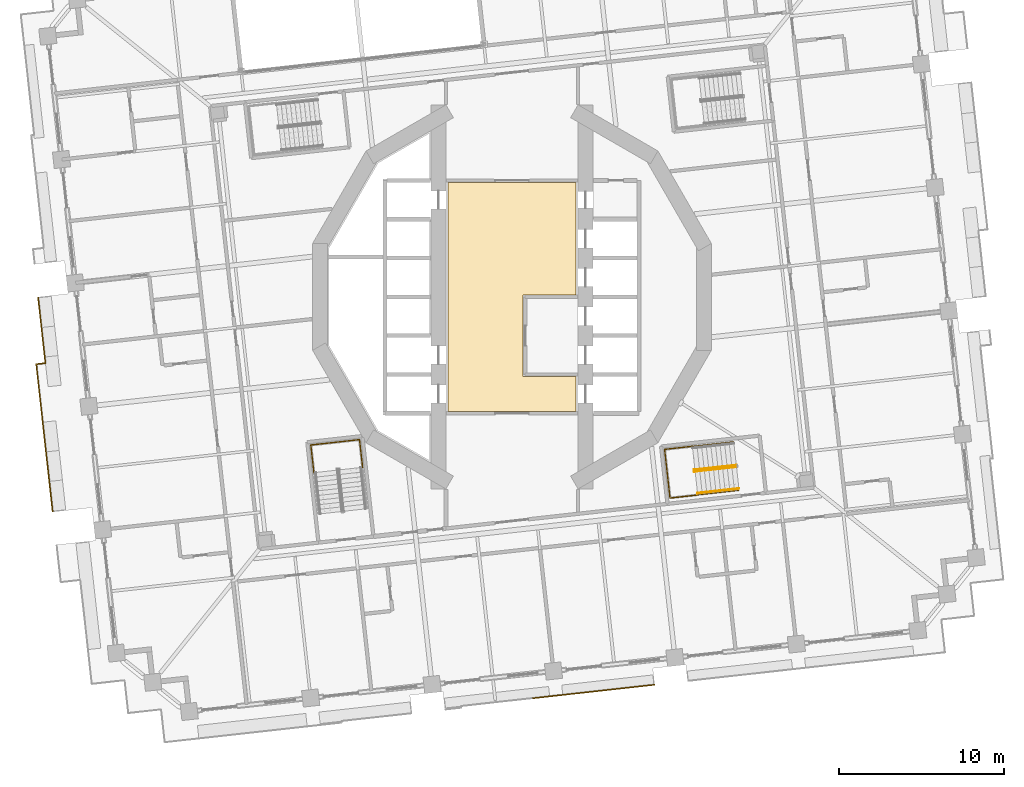
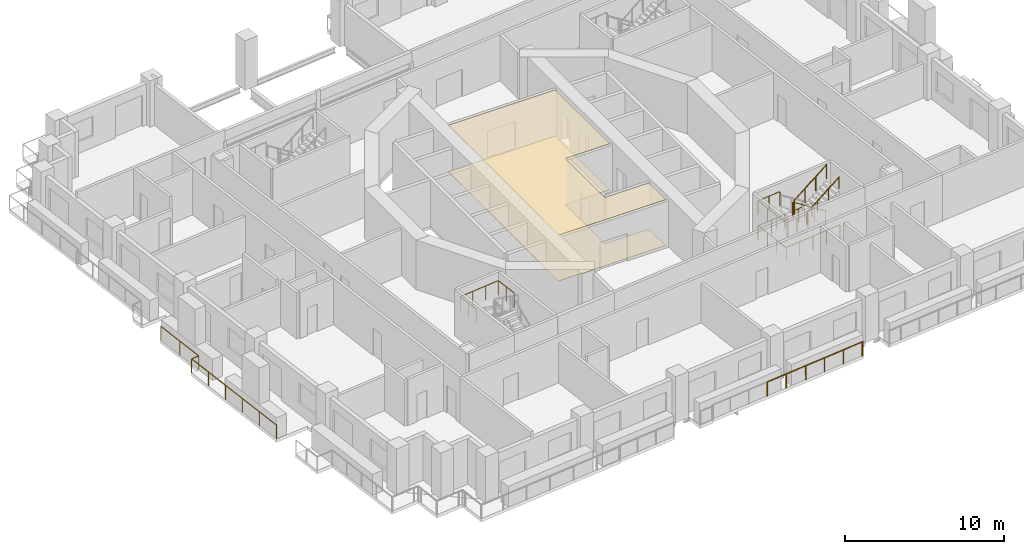
# One storey, part 16 of 21: 8 railings, 2 coverings.
"""IFC4 building model written with IfcOpenShell, lengths in metres."""

from ifc_helpers import new_model, si_unit, direction, frame, origin, origin_2d, place, context, subcontext, project, spatial, polyline, circle, outline, extrude, material, layer, layer_set, type_object, element, save


model = new_model("IFC4")

# Units and contexts
model_context = context("Model", 3, precision=1e-05, world=origin(), true_north=direction((0.0, 1.0)))
body_context = subcontext(model_context, "Body", "Model", "MODEL_VIEW")
ifc_project = project(units=[si_unit("LENGTHUNIT", "METRE"), si_unit("AREAUNIT", "SQUARE_METRE"), si_unit("VOLUMEUNIT", "CUBIC_METRE"), si_unit("PLANEANGLEUNIT", "RADIAN"), si_unit("MASSUNIT", "GRAM", prefix="KILO")], contexts=[model_context])

# Site, building, storey
site_placement = place(None, origin())
site = spatial("IfcSite", under=ifc_project, at=site_placement, CompositionType="ELEMENT")
building_placement = place(site_placement, origin())
building = spatial("IfcBuilding", under=site, at=building_placement, Name="Cantera Rosa Tower", CompositionType="ELEMENT")
storey_placement = place(building_placement, frame((0.0, 0.0, 57.699951171875)))
storey = spatial("IfcBuildingStorey", under=building, at=storey_placement, Name="L11", CompositionType="ELEMENT", Elevation=57.699951171875)

# Railings
ifc_material_1 = material(Name="Stainless steel and laminated glass", Category="steel")
railing_type_1 = type_object("IfcRailingType", Name="GUARD 1100", PredefinedType="BALUSTRADE", material=ifc_material_1)
railing_1_placement = place(storey_placement, frame((-27.823486328125, -12.99853515625, 0.0)))
element("IfcRailing", 1, at=railing_1_placement, inside=storey, type_object=railing_type_1, Name="GUARD L11-3", PredefinedType="BALUSTRADE", context=body_context, shape_type="SweptSolid", body=[
    extrude(circle(Radius=0.030029296875, at=origin_2d()), frame((0.0, 0.0, 1.070068359375), z_axis=(-0.11030317772, 0.993897987212, 0.0), x_axis=(-0.993897987212, -0.11030317772, 0.0)), (0.0, 0.0, 1.0), 8.977294921875),
    extrude(circle(Radius=0.030029296875, at=origin_2d()), frame((-0.990234375, 8.922607421875, 1.070068359375), z_axis=(0.993873032391, 0.110527804132, 0.0), x_axis=(-0.110527804132, 0.993873032391, 0.0)), (0.0, 0.0, 1.0), 0.556640625),
    extrude(circle(Radius=0.030029296875, at=origin_2d()), frame((-0.43701171875, 8.984130859375, 1.070068359375), z_axis=(-0.110344492621, 0.9938934012, 0.0), x_axis=(-0.9938934012, -0.110344492621, 0.0)), (0.0, 0.0, 1.0), 4.00244140625),
    extrude(circle(Radius=0.02490234375, at=origin_2d()), origin(), (0.0, 0.0, 1.0), 1.0400390625),
    extrude(circle(Radius=0.02490234375, at=origin_2d()), frame((-0.197998046875, 1.784423828125, 0.0)), (0.0, 0.0, 1.0), 1.0400390625),
    extrude(circle(Radius=0.02490234375, at=origin_2d()), frame((-0.39599609375, 3.569091796875, 0.0)), (0.0, 0.0, 1.0), 1.0400390625),
    extrude(circle(Radius=0.02490234375, at=origin_2d()), frame((-0.59423828125, 5.353515625, 0.0)), (0.0, 0.0, 1.0), 1.0400390625),
    extrude(circle(Radius=0.02490234375, at=origin_2d()), frame((-0.792236328125, 7.13818359375, 0.0)), (0.0, 0.0, 1.0), 1.0400390625),
    extrude(circle(Radius=0.02490234375, at=origin_2d()), frame((-0.990234375, 8.922607421875, 0.0)), (0.0, 0.0, 1.0), 1.0400390625),
    extrude(circle(Radius=0.02490234375, at=origin_2d()), frame((-0.43701171875, 8.984130859375, 0.0)), (0.0, 0.0, 1.0), 1.0400390625),
    extrude(circle(Radius=0.02490234375, at=origin_2d()), frame((-0.65771484375, 10.97314453125, 0.0)), (0.0, 0.0, 1.0), 1.0400390625),
    extrude(circle(Radius=0.02490234375, at=origin_2d()), frame((-0.878662109375, 12.962158203125, 0.0)), (0.0, 0.0, 1.0), 1.0400390625),
])
railing_2_placement = place(storey_placement, frame((8.6142578125, -23.4931640625, 0.0)))
element("IfcRailing", 2, at=railing_2_placement, inside=storey, type_object=railing_type_1, Name="GUARD L11-9", PredefinedType="BALUSTRADE", context=body_context, shape_type="SweptSolid", body=[
    extrude(circle(Radius=0.030029296875, at=origin_2d()), frame((0.0, 0.0, 1.070068359375), z_axis=(-0.994136314057, -0.108134125389, 0.0), x_axis=(0.108134125389, -0.994136314057, 0.0)), (0.0, 0.0, 1.0), 0.070068359375),
    extrude(circle(Radius=0.030029296875, at=origin_2d()), frame((-0.069580078125, -0.007568359375, 1.070068359375), z_axis=(-0.993891851654, -0.110358448777, 0.0), x_axis=(0.110358448777, -0.993891851654, 0.0)), (0.0, 0.0, 1.0), 4.400146484375),
    extrude(circle(Radius=0.030029296875, at=origin_2d()), frame((-4.44287109375, -0.4931640625, 1.070068359375), z_axis=(-0.993901585709, -0.110270748271, 0.0), x_axis=(0.110270748271, -0.993901585709, 0.0)), (0.0, 0.0, 1.0), 3.0),
    extrude(circle(Radius=0.02490234375, at=origin_2d()), origin(), (0.0, 0.0, 1.0), 1.0400390625),
    extrude(circle(Radius=0.02490234375, at=origin_2d()), frame((-0.069580078125, -0.007568359375, 0.0)), (0.0, 0.0, 1.0), 1.0400390625),
    extrude(circle(Radius=0.02490234375, at=origin_2d()), frame((-1.52734375, -0.16943359375, 0.0)), (0.0, 0.0, 1.0), 1.0400390625),
    extrude(circle(Radius=0.02490234375, at=origin_2d()), frame((-2.985107421875, -0.331298828125, 0.0)), (0.0, 0.0, 1.0), 1.0400390625),
    extrude(circle(Radius=0.02490234375, at=origin_2d()), frame((-4.44287109375, -0.4931640625, 0.0)), (0.0, 0.0, 1.0), 1.0400390625),
    extrude(circle(Radius=0.02490234375, at=origin_2d()), frame((-5.93359375, -0.65869140625, 0.0)), (0.0, 0.0, 1.0), 1.0400390625),
    extrude(circle(Radius=0.02490234375, at=origin_2d()), frame((-7.424560546875, -0.823974609375, 0.0)), (0.0, 0.0, 1.0), 1.0400390625),
])
ifc_material_2 = material(Name="Steel S355J2 (EN 10025-2)", Category="steel")
railing_type_2 = type_object("IfcRailingType", Name="STAIR GUARD 1100", PredefinedType="GUARDRAIL", material=ifc_material_2)
railing_3_placement = place(storey_placement, frame((-9.04638671875, -10.3349609375, 1.900146484375)))
element("IfcRailing", 3, at=railing_3_placement, inside=storey, type_object=railing_type_2, Name="L11 ST-13 stair guard 5", PredefinedType="GUARDRAIL", context=body_context, shape_type="SweptSolid", body=[
    extrude(circle(Radius=0.02392578125, at=origin_2d()), frame((0.0, 0.0, 1.076171875), z_axis=(-0.110305577623, 0.993897720867, 0.0), x_axis=(-0.993897720867, -0.110305577623, 0.0)), (0.0, 0.0, 1.0), 1.7021484375),
    extrude(circle(Radius=0.02392578125, at=origin_2d()), frame((-0.187744140625, 1.691650390625, 1.076171875), z_axis=(-0.993896759678, -0.110314237986, 0.0), x_axis=(0.110314237986, -0.993896759678, 0.0)), (0.0, 0.0, 1.0), 2.969970703125),
    extrude(circle(Radius=0.02392578125, at=origin_2d()), frame((-3.1396484375, 1.364013671875, 1.076171875), z_axis=(0.110447269257, -0.993881985305, 0.0), x_axis=(0.993881985305, 0.110447269257, 0.0)), (0.0, 0.0, 1.0), 1.7021484375),
    extrude(circle(Radius=0.02099609375, at=origin_2d()), origin(), (0.0, 0.0, 1.0), 1.052001953125),
    extrude(circle(Radius=0.02099609375, at=origin_2d()), frame((-0.09375, 0.845703125, 0.0)), (0.0, 0.0, 1.0), 1.052001953125),
    extrude(circle(Radius=0.02099609375, at=origin_2d()), frame((-0.187744140625, 1.691650390625, 0.0)), (0.0, 0.0, 1.0), 1.052001953125),
    extrude(circle(Radius=0.02099609375, at=origin_2d()), frame((-1.171630859375, 1.58251953125, 0.0)), (0.0, 0.0, 1.0), 1.052001953125),
    extrude(circle(Radius=0.02099609375, at=origin_2d()), frame((-2.15576171875, 1.47314453125, 0.0)), (0.0, 0.0, 1.0), 1.052001953125),
    extrude(circle(Radius=0.02099609375, at=origin_2d()), frame((-3.1396484375, 1.364013671875, 0.0)), (0.0, 0.0, 1.0), 1.052001953125),
    extrude(circle(Radius=0.02099609375, at=origin_2d()), frame((-3.045654296875, 0.51806640625, 0.0)), (0.0, 0.0, 1.0), 1.052001953125),
    extrude(circle(Radius=0.02099609375, at=origin_2d()), frame((-2.95166015625, -0.32763671875, 0.0)), (0.0, 0.0, 1.0), 1.052001953125),
])
railing_4_placement = place(storey_placement, frame((13.5859375, -10.19677734375, 0.18994140625)))
element("IfcRailing", 4, at=railing_4_placement, inside=storey, type_object=railing_type_2, Name="L11 ST-14 stair guard 1", PredefinedType="GUARDRAIL", context=body_context, shape_type="SweptSolid", body=[
    extrude(circle(Radius=0.02392578125, at=origin_2d()), frame((0.0, 0.0, 1.076171875), z_axis=(-0.822368368775, -0.091311909927, 0.561580271327), x_axis=(0.110357086308, -0.993892002937, 0.0)), (0.0, 0.0, 1.0), 3.04541015625),
    extrude(circle(Radius=0.02392578125, at=origin_2d()), frame((-2.50439453125, -0.278076171875, 2.7861328125), z_axis=(-0.933456941688, 0.358689472963, 0.0), x_axis=(-0.358689472963, -0.933456941688, 0.0)), (0.0, 0.0, 1.0), 0.056396484375),
    extrude(circle(Radius=0.02392578125, at=origin_2d()), frame((-2.55712890625, -0.2578125, 2.7861328125), z_axis=(0.110789159685, -0.993843932464, 0.0), x_axis=(0.993843932464, 0.110789159685, 0.0)), (0.0, 0.0, 1.0), 0.14990234375),
    extrude(circle(Radius=0.02099609375, at=origin_2d()), origin(), (0.0, 0.0, 1.0), 1.052001953125),
    extrude(circle(Radius=0.02099609375, at=origin_2d()), frame((-0.834716796875, -0.0927734375, 0.570068359375)), (0.0, 0.0, 1.0), 1.052001953125),
    extrude(circle(Radius=0.02099609375, at=origin_2d()), frame((-1.669677734375, -0.185302734375, 1.14013671875)), (0.0, 0.0, 1.0), 1.052001953125),
    extrude(circle(Radius=0.02099609375, at=origin_2d()), frame((-2.50439453125, -0.278076171875, 1.710205078125)), (0.0, 0.0, 1.0), 1.052001953125),
    extrude(circle(Radius=0.02099609375, at=origin_2d()), frame((-2.55712890625, -0.2578125, 1.710205078125)), (0.0, 0.0, 1.0), 1.052001953125),
    extrude(circle(Radius=0.02099609375, at=origin_2d()), frame((-2.54052734375, -0.40673828125, 1.710205078125)), (0.0, 0.0, 1.0), 1.052001953125),
])
railing_5_placement = place(storey_placement, frame((11.09228515625, -10.572265625, 2.090087890625)))
element("IfcRailing", 5, at=railing_5_placement, inside=storey, type_object=railing_type_2, Name="L11 ST-14 stair guard 2", PredefinedType="GUARDRAIL", context=body_context, shape_type="SweptSolid", body=[
    extrude(circle(Radius=0.02392578125, at=origin_2d()), frame((0.0, 0.0, 1.076171875), z_axis=(0.822431337597, 0.091310000343, 0.561488360321), x_axis=(-0.110346460196, 0.993893182753, 0.0)), (0.0, 0.0, 1.0), 3.04541015625),
    extrude(circle(Radius=0.02099609375, at=origin_2d()), origin(), (0.0, 0.0, 1.0), 1.052001953125),
    extrude(circle(Radius=0.02099609375, at=origin_2d()), frame((0.8349609375, 0.0927734375, 0.570068359375)), (0.0, 0.0, 1.0), 1.052001953125),
    extrude(circle(Radius=0.02099609375, at=origin_2d()), frame((1.669677734375, 0.185302734375, 1.139892578125)), (0.0, 0.0, 1.0), 1.052001953125),
    extrude(circle(Radius=0.02099609375, at=origin_2d()), frame((2.504638671875, 0.278076171875, 1.7099609375)), (0.0, 0.0, 1.0), 1.052001953125),
])
railing_6_placement = place(storey_placement, frame((13.415771484375, -8.77099609375, 0.0)))
element("IfcRailing", 6, at=railing_6_placement, inside=storey, type_object=railing_type_2, Name="L11 ST-14 stair guard 4", PredefinedType="GUARDRAIL", context=body_context, shape_type="SweptSolid", body=[
    extrude(circle(Radius=0.02392578125, at=origin_2d()), frame((0.0, 0.0, 1.076171875), z_axis=(-0.9938957856, -0.110323013767, 0.0), x_axis=(0.110323013767, -0.9938957856, 0.0)), (0.0, 0.0, 1.0), 4.197998046875),
    extrude(circle(Radius=0.02392578125, at=origin_2d()), frame((-4.17236328125, -0.463134765625, 1.076171875), z_axis=(0.110314237986, -0.993896759678, 0.0), x_axis=(0.993896759678, 0.110314237986, 0.0)), (0.0, 0.0, 1.0), 2.969970703125),
    extrude(circle(Radius=0.02392578125, at=origin_2d()), frame((-3.8447265625, -3.4150390625, 1.076171875), z_axis=(0.9938957856, 0.110323013767, 0.0), x_axis=(-0.110323013767, 0.9938957856, 0.0)), (0.0, 0.0, 1.0), 4.197998046875),
    extrude(circle(Radius=0.02099609375, at=origin_2d()), origin(), (0.0, 0.0, 1.0), 1.052001953125),
    extrude(circle(Radius=0.02099609375, at=origin_2d()), frame((-1.04296875, -0.11572265625, 0.0)), (0.0, 0.0, 1.0), 1.052001953125),
    extrude(circle(Radius=0.02099609375, at=origin_2d()), frame((-2.086181640625, -0.2314453125, 0.0)), (0.0, 0.0, 1.0), 1.052001953125),
    extrude(circle(Radius=0.02099609375, at=origin_2d()), frame((-3.12939453125, -0.347412109375, 0.0)), (0.0, 0.0, 1.0), 1.052001953125),
    extrude(circle(Radius=0.02099609375, at=origin_2d()), frame((-4.17236328125, -0.463134765625, 0.0)), (0.0, 0.0, 1.0), 1.052001953125),
    extrude(circle(Radius=0.02099609375, at=origin_2d()), frame((-4.063232421875, -1.447021484375, 0.0)), (0.0, 0.0, 1.0), 1.052001953125),
    extrude(circle(Radius=0.02099609375, at=origin_2d()), frame((-3.953857421875, -2.43115234375, 0.0)), (0.0, 0.0, 1.0), 1.052001953125),
    extrude(circle(Radius=0.02099609375, at=origin_2d()), frame((-3.8447265625, -3.4150390625, 0.0)), (0.0, 0.0, 1.0), 1.052001953125),
    extrude(circle(Radius=0.02099609375, at=origin_2d()), frame((-2.8017578125, -3.29931640625, 0.0)), (0.0, 0.0, 1.0), 1.052001953125),
    extrude(circle(Radius=0.02099609375, at=origin_2d()), frame((-1.758544921875, -3.18359375, 0.0)), (0.0, 0.0, 1.0), 1.052001953125),
    extrude(circle(Radius=0.02099609375, at=origin_2d()), frame((-0.71533203125, -3.067626953125, 0.0)), (0.0, 0.0, 1.0), 1.052001953125),
    extrude(circle(Radius=0.02099609375, at=origin_2d()), frame((0.32763671875, -2.951904296875, 0.0)), (0.0, 0.0, 1.0), 1.052001953125),
])
railing_7_placement = place(storey_placement, frame((10.93505859375, -9.04638671875, 1.900146484375)))
element("IfcRailing", 7, at=railing_7_placement, inside=storey, type_object=railing_type_2, Name="L11 ST-14 stair guard 5", PredefinedType="GUARDRAIL", context=body_context, shape_type="SweptSolid", body=[
    extrude(circle(Radius=0.02392578125, at=origin_2d()), frame((0.0, 0.0, 1.076171875), z_axis=(-0.993897720867, -0.110305577623, 0.0), x_axis=(0.110305577623, -0.993897720867, 0.0)), (0.0, 0.0, 1.0), 1.7021484375),
    extrude(circle(Radius=0.02392578125, at=origin_2d()), frame((-1.691650390625, -0.187744140625, 1.076171875), z_axis=(0.110314237986, -0.993896759678, 0.0), x_axis=(0.993896759678, 0.110314237986, 0.0)), (0.0, 0.0, 1.0), 2.969970703125),
    extrude(circle(Radius=0.02392578125, at=origin_2d()), frame((-1.364013671875, -3.1396484375, 1.076171875), z_axis=(0.993881985305, 0.110447269257, 0.0), x_axis=(-0.110447269257, 0.993881985305, 0.0)), (0.0, 0.0, 1.0), 1.7021484375),
    extrude(circle(Radius=0.02099609375, at=origin_2d()), origin(), (0.0, 0.0, 1.0), 1.052001953125),
    extrude(circle(Radius=0.02099609375, at=origin_2d()), frame((-0.845703125, -0.09375, 0.0)), (0.0, 0.0, 1.0), 1.052001953125),
    extrude(circle(Radius=0.02099609375, at=origin_2d()), frame((-1.691650390625, -0.187744140625, 0.0)), (0.0, 0.0, 1.0), 1.052001953125),
    extrude(circle(Radius=0.02099609375, at=origin_2d()), frame((-1.58251953125, -1.171630859375, 0.0)), (0.0, 0.0, 1.0), 1.052001953125),
    extrude(circle(Radius=0.02099609375, at=origin_2d()), frame((-1.47314453125, -2.15576171875, 0.0)), (0.0, 0.0, 1.0), 1.052001953125),
    extrude(circle(Radius=0.02099609375, at=origin_2d()), frame((-1.364013671875, -3.1396484375, 0.0)), (0.0, 0.0, 1.0), 1.052001953125),
    extrude(circle(Radius=0.02099609375, at=origin_2d()), frame((-0.51806640625, -3.045654296875, 0.0)), (0.0, 0.0, 1.0), 1.052001953125),
    extrude(circle(Radius=0.02099609375, at=origin_2d()), frame((0.32763671875, -2.95166015625, 0.0)), (0.0, 0.0, 1.0), 1.052001953125),
])
ifc_material_3 = material(Name="Steel S355J2 (EN 10025-2)", Category="steel")
railing_type_3 = type_object("IfcRailingType", Name="STAIR HANDRAIL 900", PredefinedType="HANDRAIL", material=ifc_material_3)
railing_8_placement = place(storey_placement, frame((11.238525390625, -11.89013671875, 2.090087890625)))
element("IfcRailing", 8, at=railing_8_placement, inside=storey, type_object=railing_type_3, Name="L11 ST-14 stair handrail 2", PredefinedType="HANDRAIL", context=body_context, shape_type="SweptSolid", body=[
    extrude(circle(Radius=0.02392578125, at=origin_2d()), frame((0.0, 0.0, 0.8759765625), z_axis=(0.822431337597, 0.091310000343, 0.561488360321), x_axis=(-0.110346460196, 0.993893182753, 0.0)), (0.0, 0.0, 1.0), 3.04541015625),
    extrude(circle(Radius=0.02099609375, at=origin_2d()), origin(), (0.0, 0.0, 1.0), 0.851806640625),
    extrude(circle(Radius=0.02099609375, at=origin_2d()), frame((0.8349609375, 0.0927734375, 0.570068359375)), (0.0, 0.0, 1.0), 0.851806640625),
    extrude(circle(Radius=0.02099609375, at=origin_2d()), frame((1.669677734375, 0.185302734375, 1.139892578125)), (0.0, 0.0, 1.0), 0.851806640625),
    extrude(circle(Radius=0.02099609375, at=origin_2d()), frame((2.504638671875, 0.278076171875, 1.7099609375)), (0.0, 0.0, 1.0), 0.851806640625),
])

# Coverings
ifc_material_4 = material(Name="Limestone paving", Category="masonry")
ifc_layer_1 = layer(ifc_material_4, 0.02490234375)
ifc_layer_set_1 = layer_set([ifc_layer_1], Name="STONE FLOOR FINISH 25")
covering_type_1 = type_object("IfcCoveringType", Name="STONE FLOOR FINISH 25", PredefinedType="FLOORING", material=ifc_layer_set_1)
covering_1_placement = place(storey_placement, origin())
element("IfcCovering", 9, at=covering_1_placement, inside=storey, type_object=covering_type_1, Name="STONE FLOOR FINISH L11", PredefinedType="FLOORING", context=body_context, shape_type="SweptSolid", body=[
    extrude(outline(polyline([(3.8798828125, 6.929931640625), (3.8798828125, 0.1201171875), (0.679931640625, 0.1201171875), (0.679931640625, -4.820068359375), (3.8798828125, -4.820068359375), (3.8798828125, -6.929931640625), (-3.8798828125, -6.929931640625), (-3.8798828125, 6.929931640625), (3.8798828125, 6.929931640625)])), origin(), (0.0, 0.0, 1.0), 0.025146484375),
])
ifc_material_5 = material(Name="Gypsum ceiling tile")
ifc_layer_2 = layer(ifc_material_5, 0.030029296875)
ifc_layer_set_2 = layer_set([ifc_layer_2], Name="SUSPENDED CEILING 30")
covering_type_2 = type_object("IfcCoveringType", Name="SUSPENDED CEILING 30", PredefinedType="CEILING", material=ifc_layer_set_2)
covering_2_placement = place(storey_placement, frame((0.0, 0.0, 3.52001953125)))
element("IfcCovering", 10, at=covering_2_placement, inside=storey, type_object=covering_type_2, Name="SUSPENDED CEILING L11", PredefinedType="CEILING", context=body_context, shape_type="SweptSolid", body=[
    extrude(outline(polyline([(3.8798828125, 6.929931640625), (3.8798828125, 0.1201171875), (0.679931640625, 0.1201171875), (0.679931640625, -4.820068359375), (3.8798828125, -4.820068359375), (3.8798828125, -6.929931640625), (-3.8798828125, -6.929931640625), (-3.8798828125, 6.929931640625), (3.8798828125, 6.929931640625)])), origin(), (0.0, 0.0, 1.0), 0.030029296875),
])

save(model, "model.ifc")
